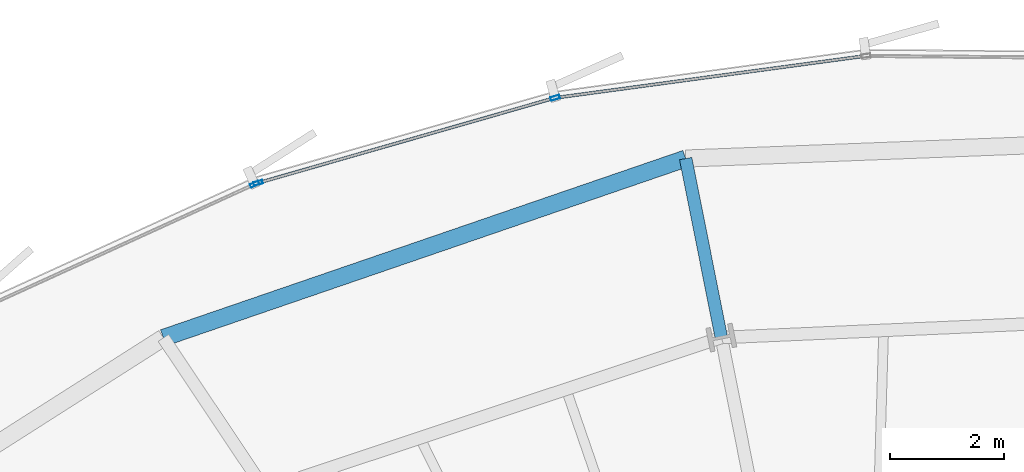
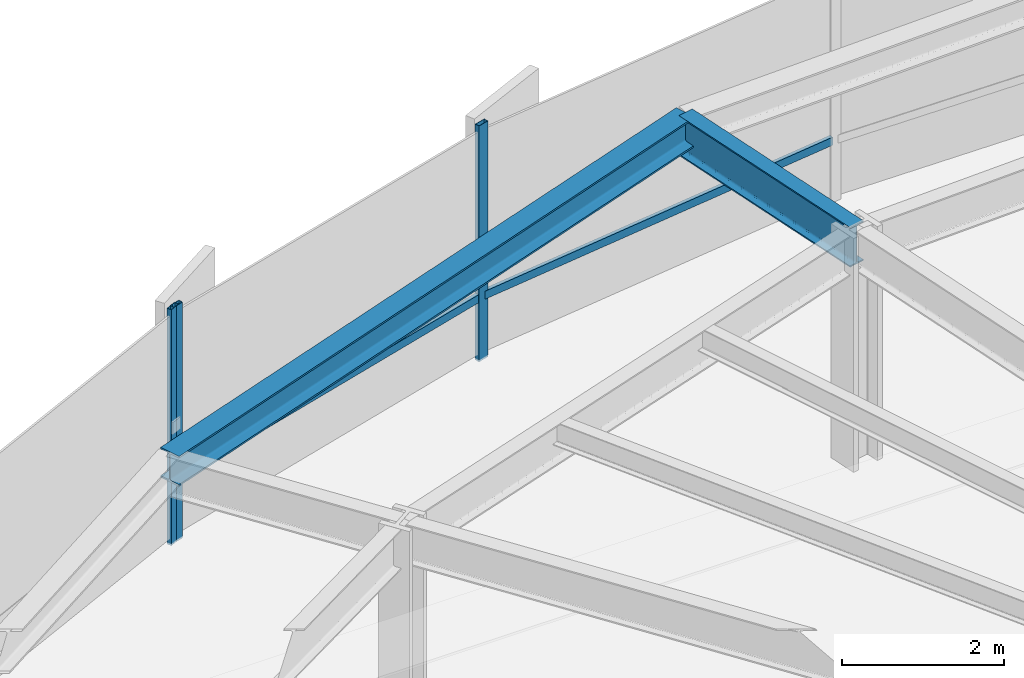
# One storey, part 21 of 39: 5 members, 2 beams, 2 elements without a shape of their own.
"""IFC4 building model written with IfcOpenShell, lengths in metres."""

from ifc_helpers import new_model, si_unit, direction, frame, origin, origin_2d, place, context, subcontext, project, spatial, hollow_rectangle, i_section, extrude, source, transform, mapped, material, layer, layer_set, material_profile, profile_set, type_object, element, aggregate, save


model = new_model("IFC4")

# Units and contexts
model_context = context("Model", 3, precision=1e-05, world=origin(), true_north=direction((0.0, 1.0)))
body_context = subcontext(model_context, "Body", "Model", "MODEL_VIEW")
ifc_project = project(units=[si_unit("LENGTHUNIT", "METRE"), si_unit("AREAUNIT", "SQUARE_METRE"), si_unit("VOLUMEUNIT", "CUBIC_METRE"), si_unit("PLANEANGLEUNIT", "RADIAN"), si_unit("MASSUNIT", "GRAM", prefix="KILO"), si_unit("THERMODYNAMICTEMPERATUREUNIT", "KELVIN")], contexts=[model_context])

# Site, building, storey
site_placement = place(None, origin())
site = spatial("IfcSite", under=ifc_project, at=site_placement, CompositionType="ELEMENT")
building_placement = place(site_placement, origin())
building = spatial("IfcBuilding", under=site, at=building_placement, Name="Kethvar Cultural Tower", CompositionType="ELEMENT")
storey_placement = place(building_placement, frame((0.0, 0.0, 44.800048828125)))
storey = spatial("IfcBuildingStorey", under=building, at=storey_placement, Name="L10", CompositionType="ELEMENT", Elevation=44.800048828125)

# Beams
ifc_material_1 = material(Name="Steel S355J2", Category="steel")
ifc_material_profile_1 = material_profile(ifc_material_1, i_section(OverallWidth=0.219970703125, OverallDepth=0.60009765625, WebThickness=0.011962890625, FlangeThickness=0.01904296875, FilletRadius=0.02392578125, at=origin_2d()), Name="Steel S355J2 — IPE600")
ifc_profile_set_1 = profile_set([ifc_material_profile_1], Name="Steel S355J2 — IPE600")
beam_type_1 = type_object("IfcBeamType", Name="BM-IPE600", PredefinedType="BEAM", material=ifc_profile_set_1)
shared_shape_1 = source(origin(), body_context, "Body", "SweptSolid", [
    extrude(i_section(OverallWidth=0.219970703125, OverallDepth=0.60009765625, WebThickness=0.011962890625, FlangeThickness=0.01904296875, FilletRadius=0.02392578125, at=origin_2d()), origin(), (0.0, 0.0, 1.0), 3.199951171875),
])
beam_1_placement = place(storey_placement, frame((42.651611328125, 48.65576171875, 3.248046875), z_axis=(-0.195162356126, 0.980770949178, 0.0), x_axis=(-0.980770949178, -0.195162356126, 0.0)))
element("IfcBeam", 1, at=beam_1_placement, inside=storey, type_object=beam_type_1, Name="L10 Perimeter Cantilever Beam RC-05", PredefinedType="BEAM", context=body_context, shape_type="MappedRepresentation", body=[
    mapped(shared_shape_1, transform((0.0, 0.0, 0.0), scale=1.0)),
])
ifc_material_profile_2 = material_profile(ifc_material_1, i_section(OverallWidth=0.300048828125, OverallDepth=0.449951171875, WebThickness=0.013916015625, FlangeThickness=0.02587890625, FilletRadius=0.027099609375, at=origin_2d()), Name="Steel S355J2 — HEB450")
ifc_profile_set_2 = profile_set([ifc_material_profile_2], Name="Steel S355J2 — HEB450")
beam_type_2 = type_object("IfcBeamType", Name="BM-SP450", PredefinedType="SPANDREL", material=ifc_profile_set_2)
shared_shape_2 = source(origin(), body_context, "Body", "SweptSolid", [
    extrude(i_section(OverallWidth=0.300048828125, OverallDepth=0.449951171875, WebThickness=0.013916015625, FlangeThickness=0.02587890625, FilletRadius=0.027099609375, at=origin_2d()), origin(), (0.0, 0.0, 1.0), 9.683349609375),
])
beam_2_placement = place(storey_placement, frame((42.027099609375, 51.794189453125, 3.322998046875), z_axis=(-0.945832074112, -0.324656260652, 0.0), x_axis=(0.324656260652, -0.945832074112, 0.0)))
element("IfcBeam", 2, at=beam_2_placement, inside=storey, type_object=beam_type_2, Name="L10 Perimeter Spandrel Beam SP-05", PredefinedType="SPANDREL", context=body_context, shape_type="MappedRepresentation", body=[
    mapped(shared_shape_2, transform((0.0, 0.0, 0.0), scale=1.0)),
])

# Curtain wall, members
ifc_material_2 = material(Name="Aluminium 6063-T6", Category="aluminium")
ifc_layer = layer(ifc_material_2, 0.179931640625, Name="Aluminium 6063-T6", Category="aluminium")
ifc_layer_set = layer_set([ifc_layer], Name="Aluminium 6063-T6 (180 mm)")
curtain_wall_type = type_object("IfcCurtainWallType", Name="CW-SYS-02-Z1", PredefinedType="NOTDEFINED", material=ifc_layer_set)
curtain_wall_1_placement = place(storey_placement, origin())
curtain_wall_1 = element("IfcCurtainWall", 3, at=curtain_wall_1_placement, inside=storey, type_object=curtain_wall_type, Name="L10 Curtain Wall Run 02", PredefinedType="NOTDEFINED")
ifc_material_profile_3 = material_profile(ifc_material_2, hollow_rectangle(XDim=0.06494140625, YDim=0.159912109375, WallThickness=0.0048828125, at=origin_2d()), Name="Aluminium 6063-T6 — RHS160x65x5")
ifc_profile_set_3 = profile_set([ifc_material_profile_3], Name="Aluminium 6063-T6 — RHS160x65x5")
member_type_1 = type_object("IfcMemberType", Name="CW-SYS-02-Z1-MUL", PredefinedType="MULLION", material=ifc_profile_set_3)
shared_shape_3 = source(origin(), body_context, "Body", "SweptSolid", [
    extrude(hollow_rectangle(XDim=0.06494140625, YDim=0.159912109375, WallThickness=0.0048828125, at=origin_2d()), origin(), (0.0, 0.0, 1.0), 3.550048828125),
])
member_1_placement = place(storey_placement, frame((39.73828125, 52.859130859375, 0.0), z_axis=(0.0, 0.0, 1.0), x_axis=(0.275436023594, -0.961319404208, 0.0)))
member_1 = element("IfcMember", 4, at=member_1_placement, type_object=member_type_1, Name="CW-L10-R02 Mullion 6", PredefinedType="MULLION", context=body_context, shape_type="MappedRepresentation", body=[
    mapped(shared_shape_3, transform((0.0, 0.0, 0.0), scale=1.0)),
])
member_2_placement = place(storey_placement, frame((34.5302734375, 51.366943359375, 0.0), z_axis=(0.0, 0.0, 1.0), x_axis=(0.275436023594, -0.961319404208, 0.0)))
member_2 = element("IfcMember", 5, at=member_2_placement, type_object=member_type_1, Name="CW-L10-R02 Mullion 7", PredefinedType="MULLION", context=body_context, shape_type="MappedRepresentation", body=[
    mapped(shared_shape_3, transform((0.0, 0.0, 0.0), scale=1.0)),
])

# Curtain wall, member
curtain_wall_2_placement = place(storey_placement, origin())
curtain_wall_2 = element("IfcCurtainWall", 6, at=curtain_wall_2_placement, inside=storey, type_object=curtain_wall_type, Name="L10 Curtain Wall Run 03", PredefinedType="NOTDEFINED")
member_3_placement = place(storey_placement, frame((34.468017578125, 51.343994140625, 0.0), z_axis=(0.0, 0.0, 1.0), x_axis=(0.41501085379, -0.909816460192, 0.0)))
member_3 = element("IfcMember", 7, at=member_3_placement, type_object=member_type_1, Name="CW-L10-R03 Mullion 1", PredefinedType="MULLION", context=body_context, shape_type="MappedRepresentation", body=[
    mapped(shared_shape_3, transform((0.0, 0.0, 0.0), scale=1.0)),
])
aggregate(curtain_wall_2, [member_3])

# Member
ifc_material_profile_4 = material_profile(ifc_material_2, hollow_rectangle(XDim=0.054931640625, YDim=0.1201171875, WallThickness=0.00390625, at=origin_2d()), Name="Aluminium 6063-T6 — RHS120x55x4")
ifc_profile_set_4 = profile_set([ifc_material_profile_4], Name="Aluminium 6063-T6 — RHS120x55x4")
member_type_2 = type_object("IfcMemberType", Name="CW-SYS-02-Z1-TRN", PredefinedType="USERDEFINED", material=ifc_profile_set_4)
shared_shape_4 = source(origin(), body_context, "Body", "SweptSolid", [
    extrude(hollow_rectangle(XDim=0.054931640625, YDim=0.1201171875, WallThickness=0.00390625, at=origin_2d()), origin(), (0.0, 0.0, 1.0), 5.42041015625),
])
member_4_placement = place(storey_placement, frame((45.139404296875, 53.58837890625, 0.949951171875), z_axis=(-0.990981926521, -0.133995601827, 0.0), x_axis=(0.133995601827, -0.990981926521, 0.0)))
member_4 = element("IfcMember", 8, at=member_4_placement, type_object=member_type_2, Name="CW-L10-R02 Transom 5", ObjectType="TRANSOM", PredefinedType="USERDEFINED", context=body_context, shape_type="MappedRepresentation", body=[
    mapped(shared_shape_4, transform((0.0, 0.0, 0.0), scale=1.0)),
])

shared_shape_5 = source(origin(), body_context, "Body", "SweptSolid", [
    extrude(hollow_rectangle(XDim=0.054931640625, YDim=0.1201171875, WallThickness=0.00390625, at=origin_2d()), origin(), (0.0, 0.0, 1.0), 5.366455078125),
])
member_5_placement = place(storey_placement, frame((39.693359375, 52.846435546875, 0.949951171875), z_axis=(-0.961312507446, -0.27546009335, 0.0), x_axis=(0.27546009335, -0.961312507446, 0.0)))
member_5 = element("IfcMember", 9, at=member_5_placement, type_object=member_type_2, Name="CW-L10-R02 Transom 6", ObjectType="TRANSOM", PredefinedType="USERDEFINED", context=body_context, shape_type="MappedRepresentation", body=[
    mapped(shared_shape_5, transform((0.0, 0.0, 0.0), scale=1.0)),
])

aggregate(curtain_wall_1, [member_1, member_2, member_4, member_5])

save(model, "model.ifc")
